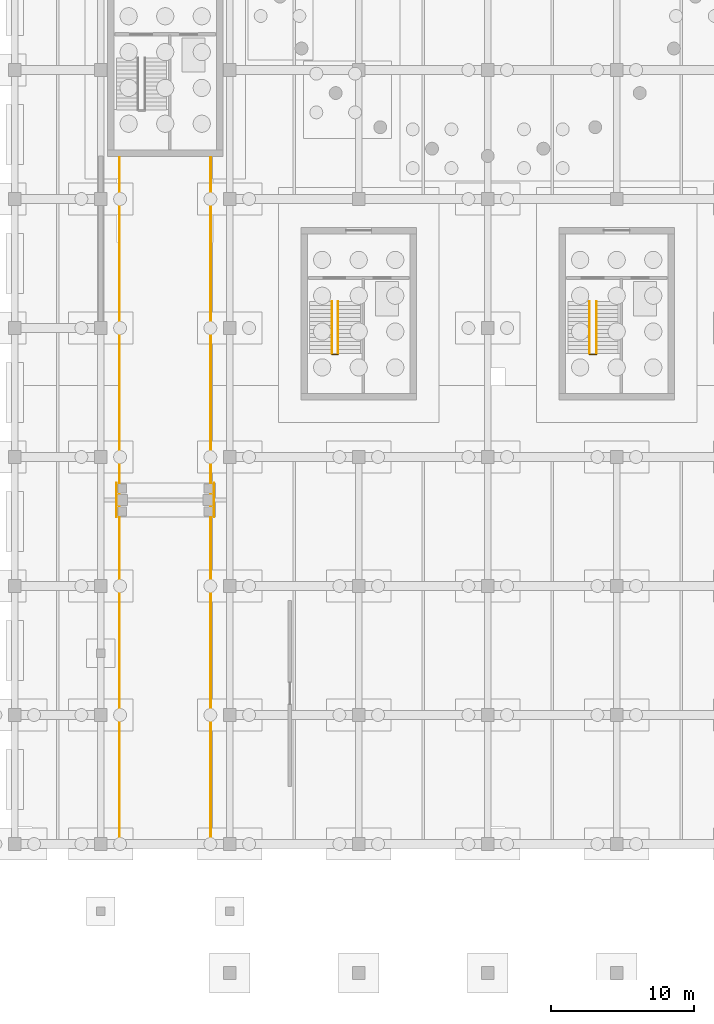
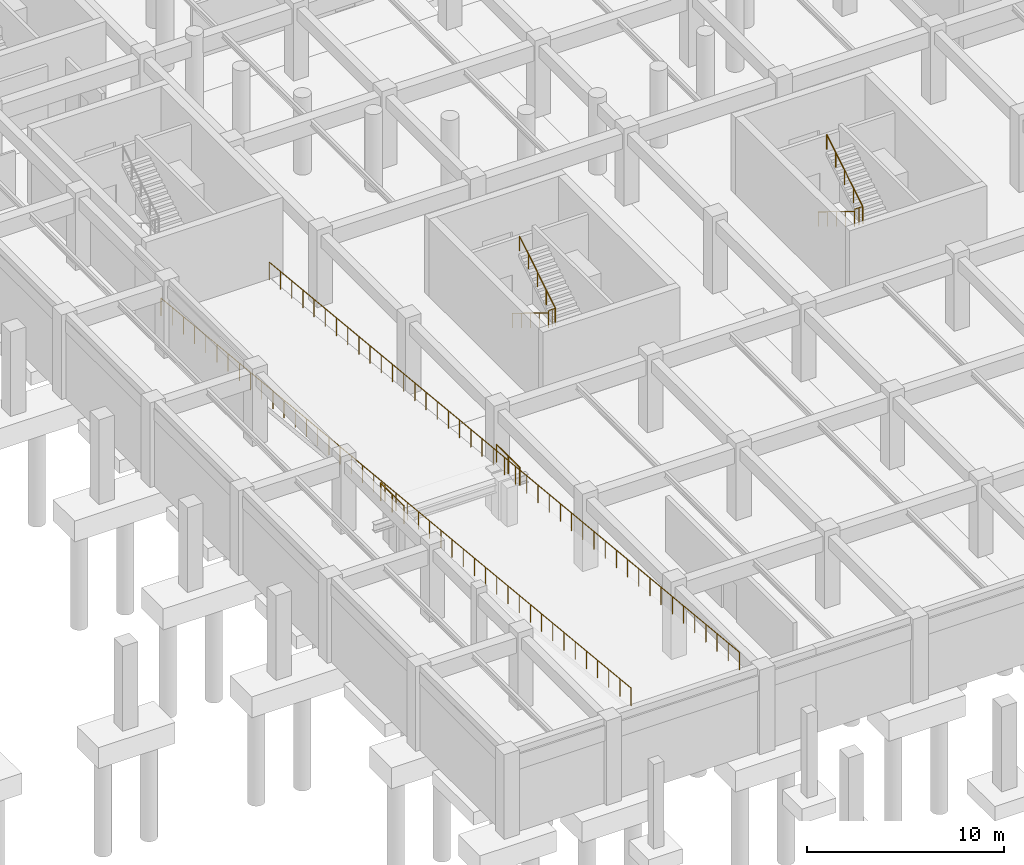
# One storey, part 23 of 27: 12 railings.
"""IFC4 building model written with IfcOpenShell, lengths in metres."""

from ifc_helpers import new_model, si_unit, direction, frame, origin, origin_2d, place, context, subcontext, project, spatial, circle, extrude, material, type_object, element, save


model = new_model("IFC4")

# Units and contexts
model_context = context("Model", 3, precision=1e-05, world=origin(), true_north=direction((0.0, 1.0)))
body_context = subcontext(model_context, "Body", "Model", "MODEL_VIEW")
ifc_project = project(units=[si_unit("LENGTHUNIT", "METRE"), si_unit("AREAUNIT", "SQUARE_METRE"), si_unit("VOLUMEUNIT", "CUBIC_METRE"), si_unit("PLANEANGLEUNIT", "RADIAN"), si_unit("MASSUNIT", "GRAM", prefix="KILO")], contexts=[model_context])

# Site, building, storey
site_placement = place(None, origin())
site = spatial("IfcSite", under=ifc_project, at=site_placement, CompositionType="ELEMENT")
building_placement = place(site_placement, origin())
building = spatial("IfcBuilding", under=site, at=building_placement, Name="Dornveld Trade and Exhibition Forum", CompositionType="ELEMENT")
storey_placement = place(building_placement, frame((0.0, 0.0, -4.800048828125)))
storey = spatial("IfcBuildingStorey", under=building, at=storey_placement, Name="B1", CompositionType="ELEMENT", Elevation=-4.800048828125)

# Railings
ifc_material_1 = material(Name="Galvanised steel S355J2 balustrade", Category="steel")
railing_type_1 = type_object("IfcRailingType", Name="RL-GUARD-TERR", PredefinedType="GUARDRAIL", material=ifc_material_1)
railing_1_placement = place(storey_placement, frame((91.320068359375, 65.89990234375, 0.010009765625)))
element("IfcRailing", 1, at=railing_1_placement, inside=storey, type_object=railing_type_1, Name="B1 car-park ramp W guard flight 1", PredefinedType="GUARDRAIL", context=body_context, shape_type="SweptSolid", body=[
    extrude(circle(Radius=0.02392578125, at=origin_2d()), frame((0.0, 0.0, 1.09619140625), z_axis=(0.0, -0.995036586364, 0.099509757294), x_axis=(1.0, 0.0, 0.0)), (0.0, 0.0, 1.0), 24.01904296875),
    extrude(circle(Radius=0.02099609375, at=origin_2d()), origin(), (0.0, 0.0, 1.0), 1.072021484375),
    extrude(circle(Radius=0.02099609375, at=origin_2d()), frame((0.0, -1.13818359375, 0.11376953125)), (0.0, 0.0, 1.0), 1.072021484375),
    extrude(circle(Radius=0.02099609375, at=origin_2d()), frame((0.0, -2.276123046875, 0.2275390625)), (0.0, 0.0, 1.0), 1.072021484375),
    extrude(circle(Radius=0.02099609375, at=origin_2d()), frame((0.0, -3.414306640625, 0.341552734375)), (0.0, 0.0, 1.0), 1.072021484375),
    extrude(circle(Radius=0.02099609375, at=origin_2d()), frame((0.0, -4.55224609375, 0.455322265625)), (0.0, 0.0, 1.0), 1.072021484375),
    extrude(circle(Radius=0.02099609375, at=origin_2d()), frame((0.0, -5.6904296875, 0.569091796875)), (0.0, 0.0, 1.0), 1.072021484375),
    extrude(circle(Radius=0.02099609375, at=origin_2d()), frame((0.0, -6.82861328125, 0.682861328125)), (0.0, 0.0, 1.0), 1.072021484375),
    extrude(circle(Radius=0.02099609375, at=origin_2d()), frame((0.0, -7.966552734375, 0.796630859375)), (0.0, 0.0, 1.0), 1.072021484375),
    extrude(circle(Radius=0.02099609375, at=origin_2d()), frame((0.0, -9.104736328125, 0.91064453125)), (0.0, 0.0, 1.0), 1.072021484375),
    extrude(circle(Radius=0.02099609375, at=origin_2d()), frame((0.0, -10.242919921875, 1.0244140625)), (0.0, 0.0, 1.0), 1.072021484375),
    extrude(circle(Radius=0.02099609375, at=origin_2d()), frame((0.0, -11.380859375, 1.13818359375)), (0.0, 0.0, 1.0), 1.072021484375),
    extrude(circle(Radius=0.02099609375, at=origin_2d()), frame((0.0, -12.51904296875, 1.251953125)), (0.0, 0.0, 1.0), 1.072021484375),
    extrude(circle(Radius=0.02099609375, at=origin_2d()), frame((0.0, -13.656982421875, 1.36572265625)), (0.0, 0.0, 1.0), 1.072021484375),
    extrude(circle(Radius=0.02099609375, at=origin_2d()), frame((0.0, -14.795166015625, 1.4794921875)), (0.0, 0.0, 1.0), 1.072021484375),
    extrude(circle(Radius=0.02099609375, at=origin_2d()), frame((0.0, -15.933349609375, 1.593505859375)), (0.0, 0.0, 1.0), 1.072021484375),
    extrude(circle(Radius=0.02099609375, at=origin_2d()), frame((0.0, -17.0712890625, 1.707275390625)), (0.0, 0.0, 1.0), 1.072021484375),
    extrude(circle(Radius=0.02099609375, at=origin_2d()), frame((0.0, -18.20947265625, 1.821044921875)), (0.0, 0.0, 1.0), 1.072021484375),
    extrude(circle(Radius=0.02099609375, at=origin_2d()), frame((0.0, -19.34765625, 1.934814453125)), (0.0, 0.0, 1.0), 1.072021484375),
    extrude(circle(Radius=0.02099609375, at=origin_2d()), frame((0.0, -20.485595703125, 2.048583984375)), (0.0, 0.0, 1.0), 1.072021484375),
    extrude(circle(Radius=0.02099609375, at=origin_2d()), frame((0.0, -21.623779296875, 2.16259765625)), (0.0, 0.0, 1.0), 1.072021484375),
    extrude(circle(Radius=0.02099609375, at=origin_2d()), frame((0.0, -22.76171875, 2.2763671875)), (0.0, 0.0, 1.0), 1.072021484375),
    extrude(circle(Radius=0.02099609375, at=origin_2d()), frame((0.0, -23.89990234375, 2.39013671875)), (0.0, 0.0, 1.0), 1.072021484375),
])
railing_2_placement = place(storey_placement, frame((91.320068359375, 42.0, 2.400146484375)))
element("IfcRailing", 2, at=railing_2_placement, inside=storey, type_object=railing_type_1, Name="B1 car-park ramp W guard flight 2", PredefinedType="GUARDRAIL", context=body_context, shape_type="SweptSolid", body=[
    extrude(circle(Radius=0.02392578125, at=origin_2d()), frame((0.0, 0.0, 1.09619140625), z_axis=(0.0, -0.995037592754, 0.0994996935), x_axis=(1.0, 0.0, 0.0)), (0.0, 0.0, 1.0), 24.01904296875),
    extrude(circle(Radius=0.02099609375, at=origin_2d()), origin(), (0.0, 0.0, 1.0), 1.072021484375),
    extrude(circle(Radius=0.02099609375, at=origin_2d()), frame((0.0, -1.13818359375, 0.11376953125)), (0.0, 0.0, 1.0), 1.072021484375),
    extrude(circle(Radius=0.02099609375, at=origin_2d()), frame((0.0, -2.276123046875, 0.2275390625)), (0.0, 0.0, 1.0), 1.072021484375),
    extrude(circle(Radius=0.02099609375, at=origin_2d()), frame((0.0, -3.414306640625, 0.34130859375)), (0.0, 0.0, 1.0), 1.072021484375),
    extrude(circle(Radius=0.02099609375, at=origin_2d()), frame((0.0, -4.55224609375, 0.455322265625)), (0.0, 0.0, 1.0), 1.072021484375),
    extrude(circle(Radius=0.02099609375, at=origin_2d()), frame((0.0, -5.6904296875, 0.569091796875)), (0.0, 0.0, 1.0), 1.072021484375),
    extrude(circle(Radius=0.02099609375, at=origin_2d()), frame((0.0, -6.82861328125, 0.682861328125)), (0.0, 0.0, 1.0), 1.072021484375),
    extrude(circle(Radius=0.02099609375, at=origin_2d()), frame((0.0, -7.966552734375, 0.796630859375)), (0.0, 0.0, 1.0), 1.072021484375),
    extrude(circle(Radius=0.02099609375, at=origin_2d()), frame((0.0, -9.104736328125, 0.910400390625)), (0.0, 0.0, 1.0), 1.072021484375),
    extrude(circle(Radius=0.02099609375, at=origin_2d()), frame((0.0, -10.242919921875, 1.024169921875)), (0.0, 0.0, 1.0), 1.072021484375),
    extrude(circle(Radius=0.02099609375, at=origin_2d()), frame((0.0, -11.380859375, 1.137939453125)), (0.0, 0.0, 1.0), 1.072021484375),
    extrude(circle(Radius=0.02099609375, at=origin_2d()), frame((0.0, -12.51904296875, 1.251953125)), (0.0, 0.0, 1.0), 1.072021484375),
    extrude(circle(Radius=0.02099609375, at=origin_2d()), frame((0.0, -13.656982421875, 1.36572265625)), (0.0, 0.0, 1.0), 1.072021484375),
    extrude(circle(Radius=0.02099609375, at=origin_2d()), frame((0.0, -14.795166015625, 1.4794921875)), (0.0, 0.0, 1.0), 1.072021484375),
    extrude(circle(Radius=0.02099609375, at=origin_2d()), frame((0.0, -15.933349609375, 1.59326171875)), (0.0, 0.0, 1.0), 1.072021484375),
    extrude(circle(Radius=0.02099609375, at=origin_2d()), frame((0.0, -17.0712890625, 1.70703125)), (0.0, 0.0, 1.0), 1.072021484375),
    extrude(circle(Radius=0.02099609375, at=origin_2d()), frame((0.0, -18.20947265625, 1.82080078125)), (0.0, 0.0, 1.0), 1.072021484375),
    extrude(circle(Radius=0.02099609375, at=origin_2d()), frame((0.0, -19.34765625, 1.9345703125)), (0.0, 0.0, 1.0), 1.072021484375),
    extrude(circle(Radius=0.02099609375, at=origin_2d()), frame((0.0, -20.485595703125, 2.048583984375)), (0.0, 0.0, 1.0), 1.072021484375),
    extrude(circle(Radius=0.02099609375, at=origin_2d()), frame((0.0, -21.623779296875, 2.162353515625)), (0.0, 0.0, 1.0), 1.072021484375),
    extrude(circle(Radius=0.02099609375, at=origin_2d()), frame((0.0, -22.76171875, 2.276123046875)), (0.0, 0.0, 1.0), 1.072021484375),
    extrude(circle(Radius=0.02099609375, at=origin_2d()), frame((0.0, -23.89990234375, 2.389892578125)), (0.0, 0.0, 1.0), 1.072021484375),
])
railing_3_placement = place(storey_placement, frame((91.10009765625, 40.820068359375, 2.400146484375)))
element("IfcRailing", 3, at=railing_3_placement, inside=storey, type_object=railing_type_1, Name="B1 ramp intermediate cap W guard", PredefinedType="GUARDRAIL", context=body_context, shape_type="SweptSolid", body=[
    extrude(circle(Radius=0.02392578125, at=origin_2d()), frame((0.0, 0.0, 1.09619140625), z_axis=(0.0, 1.0, 0.0), x_axis=(-1.0, 0.0, 0.0)), (0.0, 0.0, 1.0), 2.35986328125),
    extrude(circle(Radius=0.02099609375, at=origin_2d()), origin(), (0.0, 0.0, 1.0), 1.072021484375),
    extrude(circle(Radius=0.02099609375, at=origin_2d()), frame((0.0, 1.179931640625, 0.0)), (0.0, 0.0, 1.0), 1.072021484375),
    extrude(circle(Radius=0.02099609375, at=origin_2d()), frame((0.0, 2.35986328125, 0.0)), (0.0, 0.0, 1.0), 1.072021484375),
])
railing_4_placement = place(storey_placement, frame((97.679931640625, 65.89990234375, 0.010009765625)))
element("IfcRailing", 4, at=railing_4_placement, inside=storey, type_object=railing_type_1, Name="B1 car-park ramp E guard flight 1", PredefinedType="GUARDRAIL", context=body_context, shape_type="SweptSolid", body=[
    extrude(circle(Radius=0.02392578125, at=origin_2d()), frame((0.0, 0.0, 1.09619140625), z_axis=(0.0, -0.995036586364, 0.099509757294), x_axis=(1.0, 0.0, 0.0)), (0.0, 0.0, 1.0), 24.01904296875),
    extrude(circle(Radius=0.02099609375, at=origin_2d()), origin(), (0.0, 0.0, 1.0), 1.072021484375),
    extrude(circle(Radius=0.02099609375, at=origin_2d()), frame((0.0, -1.13818359375, 0.11376953125)), (0.0, 0.0, 1.0), 1.072021484375),
    extrude(circle(Radius=0.02099609375, at=origin_2d()), frame((0.0, -2.276123046875, 0.2275390625)), (0.0, 0.0, 1.0), 1.072021484375),
    extrude(circle(Radius=0.02099609375, at=origin_2d()), frame((0.0, -3.414306640625, 0.341552734375)), (0.0, 0.0, 1.0), 1.072021484375),
    extrude(circle(Radius=0.02099609375, at=origin_2d()), frame((0.0, -4.55224609375, 0.455322265625)), (0.0, 0.0, 1.0), 1.072021484375),
    extrude(circle(Radius=0.02099609375, at=origin_2d()), frame((0.0, -5.6904296875, 0.569091796875)), (0.0, 0.0, 1.0), 1.072021484375),
    extrude(circle(Radius=0.02099609375, at=origin_2d()), frame((0.0, -6.82861328125, 0.682861328125)), (0.0, 0.0, 1.0), 1.072021484375),
    extrude(circle(Radius=0.02099609375, at=origin_2d()), frame((0.0, -7.966552734375, 0.796630859375)), (0.0, 0.0, 1.0), 1.072021484375),
    extrude(circle(Radius=0.02099609375, at=origin_2d()), frame((0.0, -9.104736328125, 0.91064453125)), (0.0, 0.0, 1.0), 1.072021484375),
    extrude(circle(Radius=0.02099609375, at=origin_2d()), frame((0.0, -10.242919921875, 1.0244140625)), (0.0, 0.0, 1.0), 1.072021484375),
    extrude(circle(Radius=0.02099609375, at=origin_2d()), frame((0.0, -11.380859375, 1.13818359375)), (0.0, 0.0, 1.0), 1.072021484375),
    extrude(circle(Radius=0.02099609375, at=origin_2d()), frame((0.0, -12.51904296875, 1.251953125)), (0.0, 0.0, 1.0), 1.072021484375),
    extrude(circle(Radius=0.02099609375, at=origin_2d()), frame((0.0, -13.656982421875, 1.36572265625)), (0.0, 0.0, 1.0), 1.072021484375),
    extrude(circle(Radius=0.02099609375, at=origin_2d()), frame((0.0, -14.795166015625, 1.4794921875)), (0.0, 0.0, 1.0), 1.072021484375),
    extrude(circle(Radius=0.02099609375, at=origin_2d()), frame((0.0, -15.933349609375, 1.593505859375)), (0.0, 0.0, 1.0), 1.072021484375),
    extrude(circle(Radius=0.02099609375, at=origin_2d()), frame((0.0, -17.0712890625, 1.707275390625)), (0.0, 0.0, 1.0), 1.072021484375),
    extrude(circle(Radius=0.02099609375, at=origin_2d()), frame((0.0, -18.20947265625, 1.821044921875)), (0.0, 0.0, 1.0), 1.072021484375),
    extrude(circle(Radius=0.02099609375, at=origin_2d()), frame((0.0, -19.34765625, 1.934814453125)), (0.0, 0.0, 1.0), 1.072021484375),
    extrude(circle(Radius=0.02099609375, at=origin_2d()), frame((0.0, -20.485595703125, 2.048583984375)), (0.0, 0.0, 1.0), 1.072021484375),
    extrude(circle(Radius=0.02099609375, at=origin_2d()), frame((0.0, -21.623779296875, 2.16259765625)), (0.0, 0.0, 1.0), 1.072021484375),
    extrude(circle(Radius=0.02099609375, at=origin_2d()), frame((0.0, -22.76171875, 2.2763671875)), (0.0, 0.0, 1.0), 1.072021484375),
    extrude(circle(Radius=0.02099609375, at=origin_2d()), frame((0.0, -23.89990234375, 2.39013671875)), (0.0, 0.0, 1.0), 1.072021484375),
])
railing_5_placement = place(storey_placement, frame((97.679931640625, 42.0, 2.400146484375)))
element("IfcRailing", 5, at=railing_5_placement, inside=storey, type_object=railing_type_1, Name="B1 car-park ramp E guard flight 2", PredefinedType="GUARDRAIL", context=body_context, shape_type="SweptSolid", body=[
    extrude(circle(Radius=0.02392578125, at=origin_2d()), frame((0.0, 0.0, 1.09619140625), z_axis=(0.0, -0.995037592754, 0.0994996935), x_axis=(1.0, 0.0, 0.0)), (0.0, 0.0, 1.0), 24.01904296875),
    extrude(circle(Radius=0.02099609375, at=origin_2d()), origin(), (0.0, 0.0, 1.0), 1.072021484375),
    extrude(circle(Radius=0.02099609375, at=origin_2d()), frame((0.0, -1.13818359375, 0.11376953125)), (0.0, 0.0, 1.0), 1.072021484375),
    extrude(circle(Radius=0.02099609375, at=origin_2d()), frame((0.0, -2.276123046875, 0.2275390625)), (0.0, 0.0, 1.0), 1.072021484375),
    extrude(circle(Radius=0.02099609375, at=origin_2d()), frame((0.0, -3.414306640625, 0.34130859375)), (0.0, 0.0, 1.0), 1.072021484375),
    extrude(circle(Radius=0.02099609375, at=origin_2d()), frame((0.0, -4.55224609375, 0.455322265625)), (0.0, 0.0, 1.0), 1.072021484375),
    extrude(circle(Radius=0.02099609375, at=origin_2d()), frame((0.0, -5.6904296875, 0.569091796875)), (0.0, 0.0, 1.0), 1.072021484375),
    extrude(circle(Radius=0.02099609375, at=origin_2d()), frame((0.0, -6.82861328125, 0.682861328125)), (0.0, 0.0, 1.0), 1.072021484375),
    extrude(circle(Radius=0.02099609375, at=origin_2d()), frame((0.0, -7.966552734375, 0.796630859375)), (0.0, 0.0, 1.0), 1.072021484375),
    extrude(circle(Radius=0.02099609375, at=origin_2d()), frame((0.0, -9.104736328125, 0.910400390625)), (0.0, 0.0, 1.0), 1.072021484375),
    extrude(circle(Radius=0.02099609375, at=origin_2d()), frame((0.0, -10.242919921875, 1.024169921875)), (0.0, 0.0, 1.0), 1.072021484375),
    extrude(circle(Radius=0.02099609375, at=origin_2d()), frame((0.0, -11.380859375, 1.137939453125)), (0.0, 0.0, 1.0), 1.072021484375),
    extrude(circle(Radius=0.02099609375, at=origin_2d()), frame((0.0, -12.51904296875, 1.251953125)), (0.0, 0.0, 1.0), 1.072021484375),
    extrude(circle(Radius=0.02099609375, at=origin_2d()), frame((0.0, -13.656982421875, 1.36572265625)), (0.0, 0.0, 1.0), 1.072021484375),
    extrude(circle(Radius=0.02099609375, at=origin_2d()), frame((0.0, -14.795166015625, 1.4794921875)), (0.0, 0.0, 1.0), 1.072021484375),
    extrude(circle(Radius=0.02099609375, at=origin_2d()), frame((0.0, -15.933349609375, 1.59326171875)), (0.0, 0.0, 1.0), 1.072021484375),
    extrude(circle(Radius=0.02099609375, at=origin_2d()), frame((0.0, -17.0712890625, 1.70703125)), (0.0, 0.0, 1.0), 1.072021484375),
    extrude(circle(Radius=0.02099609375, at=origin_2d()), frame((0.0, -18.20947265625, 1.82080078125)), (0.0, 0.0, 1.0), 1.072021484375),
    extrude(circle(Radius=0.02099609375, at=origin_2d()), frame((0.0, -19.34765625, 1.9345703125)), (0.0, 0.0, 1.0), 1.072021484375),
    extrude(circle(Radius=0.02099609375, at=origin_2d()), frame((0.0, -20.485595703125, 2.048583984375)), (0.0, 0.0, 1.0), 1.072021484375),
    extrude(circle(Radius=0.02099609375, at=origin_2d()), frame((0.0, -21.623779296875, 2.162353515625)), (0.0, 0.0, 1.0), 1.072021484375),
    extrude(circle(Radius=0.02099609375, at=origin_2d()), frame((0.0, -22.76171875, 2.276123046875)), (0.0, 0.0, 1.0), 1.072021484375),
    extrude(circle(Radius=0.02099609375, at=origin_2d()), frame((0.0, -23.89990234375, 2.389892578125)), (0.0, 0.0, 1.0), 1.072021484375),
])
railing_6_placement = place(storey_placement, frame((97.89990234375, 40.820068359375, 2.400146484375)))
element("IfcRailing", 6, at=railing_6_placement, inside=storey, type_object=railing_type_1, Name="B1 ramp intermediate cap E guard", PredefinedType="GUARDRAIL", context=body_context, shape_type="SweptSolid", body=[
    extrude(circle(Radius=0.02392578125, at=origin_2d()), frame((0.0, 0.0, 1.09619140625), z_axis=(0.0, 1.0, 0.0), x_axis=(-1.0, 0.0, 0.0)), (0.0, 0.0, 1.0), 2.35986328125),
    extrude(circle(Radius=0.02099609375, at=origin_2d()), origin(), (0.0, 0.0, 1.0), 1.072021484375),
    extrude(circle(Radius=0.02099609375, at=origin_2d()), frame((0.0, 1.179931640625, 0.0)), (0.0, 0.0, 1.0), 1.072021484375),
    extrude(circle(Radius=0.02099609375, at=origin_2d()), frame((0.0, 2.35986328125, 0.0)), (0.0, 0.0, 1.0), 1.072021484375),
])
ifc_material_2 = material(Name="Brushed stainless steel handrail", Category="steel")
railing_type_2 = type_object("IfcRailingType", Name="RL-HAND-920", PredefinedType="HANDRAIL", material=ifc_material_2)
railing_7_placement = place(storey_placement, frame((106.139892578125, 55.85009765625, 0.17138671875)))
element("IfcRailing", 7, at=railing_7_placement, inside=storey, type_object=railing_type_2, Name="ST-06-B1 flight 1 handrail", PredefinedType="HANDRAIL", context=body_context, shape_type="SweptSolid", body=[
    extrude(circle(Radius=0.02099609375, at=origin_2d()), frame((0.0, 0.0, 0.89892578125), z_axis=(0.0, -0.852840387347, 0.522171689878), x_axis=(1.0, 0.0, 0.0)), (0.0, 0.0, 1.0), 4.268310546875),
    extrude(circle(Radius=0.01806640625, at=origin_2d()), origin(), (0.0, 0.0, 1.0), 0.8779296875),
    extrude(circle(Radius=0.01806640625, at=origin_2d()), frame((0.0, -0.91015625, 0.55712890625)), (0.0, 0.0, 1.0), 0.8779296875),
    extrude(circle(Radius=0.01806640625, at=origin_2d()), frame((0.0, -1.820068359375, 1.1142578125)), (0.0, 0.0, 1.0), 0.8779296875),
    extrude(circle(Radius=0.01806640625, at=origin_2d()), frame((0.0, -2.72998046875, 1.671630859375)), (0.0, 0.0, 1.0), 0.8779296875),
    extrude(circle(Radius=0.01806640625, at=origin_2d()), frame((0.0, -3.64013671875, 2.228759765625)), (0.0, 0.0, 1.0), 0.8779296875),
])
railing_8_placement = place(storey_placement, frame((106.56005859375, 52.2099609375, 2.571533203125)))
element("IfcRailing", 8, at=railing_8_placement, inside=storey, type_object=railing_type_2, Name="ST-06-B1 flight 2 handrail", PredefinedType="HANDRAIL", context=body_context, shape_type="SweptSolid", body=[
    extrude(circle(Radius=0.02099609375, at=origin_2d()), frame((0.0, 0.0, 0.89892578125), z_axis=(0.0, 0.852865859571, 0.52213008492), x_axis=(-1.0, 0.0, 0.0)), (0.0, 0.0, 1.0), 4.26806640625),
    extrude(circle(Radius=0.01806640625, at=origin_2d()), origin(), (0.0, 0.0, 1.0), 0.8779296875),
    extrude(circle(Radius=0.01806640625, at=origin_2d()), frame((0.0, 0.91015625, 0.55712890625)), (0.0, 0.0, 1.0), 0.8779296875),
    extrude(circle(Radius=0.01806640625, at=origin_2d()), frame((0.0, 1.820068359375, 1.1142578125)), (0.0, 0.0, 1.0), 0.8779296875),
    extrude(circle(Radius=0.01806640625, at=origin_2d()), frame((0.0, 2.72998046875, 1.67138671875)), (0.0, 0.0, 1.0), 0.8779296875),
    extrude(circle(Radius=0.01806640625, at=origin_2d()), frame((0.0, 3.64013671875, 2.228515625)), (0.0, 0.0, 1.0), 0.8779296875),
])
railing_9_placement = place(storey_placement, frame((124.10498046875, 55.85009765625, 0.17138671875)))
element("IfcRailing", 9, at=railing_9_placement, inside=storey, type_object=railing_type_2, Name="ST-07-B1 flight 1 handrail", PredefinedType="HANDRAIL", context=body_context, shape_type="SweptSolid", body=[
    extrude(circle(Radius=0.02099609375, at=origin_2d()), frame((0.0, 0.0, 0.89892578125), z_axis=(0.0, -0.852840387347, 0.522171689878), x_axis=(1.0, 0.0, 0.0)), (0.0, 0.0, 1.0), 4.268310546875),
    extrude(circle(Radius=0.01806640625, at=origin_2d()), origin(), (0.0, 0.0, 1.0), 0.8779296875),
    extrude(circle(Radius=0.01806640625, at=origin_2d()), frame((0.0, -0.91015625, 0.55712890625)), (0.0, 0.0, 1.0), 0.8779296875),
    extrude(circle(Radius=0.01806640625, at=origin_2d()), frame((0.0, -1.820068359375, 1.1142578125)), (0.0, 0.0, 1.0), 0.8779296875),
    extrude(circle(Radius=0.01806640625, at=origin_2d()), frame((0.0, -2.72998046875, 1.671630859375)), (0.0, 0.0, 1.0), 0.8779296875),
    extrude(circle(Radius=0.01806640625, at=origin_2d()), frame((0.0, -3.64013671875, 2.228759765625)), (0.0, 0.0, 1.0), 0.8779296875),
])
railing_10_placement = place(storey_placement, frame((124.594970703125, 52.2099609375, 2.571533203125)))
element("IfcRailing", 10, at=railing_10_placement, inside=storey, type_object=railing_type_2, Name="ST-07-B1 flight 2 handrail", PredefinedType="HANDRAIL", context=body_context, shape_type="SweptSolid", body=[
    extrude(circle(Radius=0.02099609375, at=origin_2d()), frame((0.0, 0.0, 0.89892578125), z_axis=(0.0, 0.852865859571, 0.52213008492), x_axis=(-1.0, 0.0, 0.0)), (0.0, 0.0, 1.0), 4.26806640625),
    extrude(circle(Radius=0.01806640625, at=origin_2d()), origin(), (0.0, 0.0, 1.0), 0.8779296875),
    extrude(circle(Radius=0.01806640625, at=origin_2d()), frame((0.0, 0.91015625, 0.55712890625)), (0.0, 0.0, 1.0), 0.8779296875),
    extrude(circle(Radius=0.01806640625, at=origin_2d()), frame((0.0, 1.820068359375, 1.1142578125)), (0.0, 0.0, 1.0), 0.8779296875),
    extrude(circle(Radius=0.01806640625, at=origin_2d()), frame((0.0, 2.72998046875, 1.67138671875)), (0.0, 0.0, 1.0), 0.8779296875),
    extrude(circle(Radius=0.01806640625, at=origin_2d()), frame((0.0, 3.64013671875, 2.228515625)), (0.0, 0.0, 1.0), 0.8779296875),
])
ifc_material_3 = material(Name="Painted steel S355J2 stair-well guard", Category="steel")
railing_type_3 = type_object("IfcRailingType", Name="RL-WELL-110", PredefinedType="GUARDRAIL", material=ifc_material_3)
railing_11_placement = place(storey_placement, frame((106.139892578125, 52.159912109375, 2.400146484375)))
element("IfcRailing", 11, at=railing_11_placement, inside=storey, type_object=railing_type_3, Name="ST-06-B1 half-landing well guard", PredefinedType="GUARDRAIL", context=body_context, shape_type="SweptSolid", body=[
    extrude(circle(Radius=0.02392578125, at=origin_2d()), frame((0.0, 0.0, 1.076171875), z_axis=(1.0, 0.0, 0.0), x_axis=(0.0, 1.0, 0.0)), (0.0, 0.0, 1.0), 0.420166015625),
    extrude(circle(Radius=0.02001953125, at=origin_2d()), origin(), (0.0, 0.0, 1.0), 1.052001953125),
    extrude(circle(Radius=0.02001953125, at=origin_2d()), frame((0.2099609375, 0.0, 0.0)), (0.0, 0.0, 1.0), 1.052001953125),
    extrude(circle(Radius=0.02001953125, at=origin_2d()), frame((0.420166015625, 0.0, 0.0)), (0.0, 0.0, 1.0), 1.052001953125),
])
railing_12_placement = place(storey_placement, frame((124.10498046875, 52.159912109375, 2.400146484375)))
element("IfcRailing", 12, at=railing_12_placement, inside=storey, type_object=railing_type_3, Name="ST-07-B1 half-landing well guard", PredefinedType="GUARDRAIL", context=body_context, shape_type="SweptSolid", body=[
    extrude(circle(Radius=0.02392578125, at=origin_2d()), frame((0.0, 0.0, 1.076171875), z_axis=(1.0, 0.0, 0.0), x_axis=(0.0, 1.0, 0.0)), (0.0, 0.0, 1.0), 0.489990234375),
    extrude(circle(Radius=0.02001953125, at=origin_2d()), origin(), (0.0, 0.0, 1.0), 1.052001953125),
    extrude(circle(Radius=0.02001953125, at=origin_2d()), frame((0.2451171875, 0.0, 0.0)), (0.0, 0.0, 1.0), 1.052001953125),
    extrude(circle(Radius=0.02001953125, at=origin_2d()), frame((0.489990234375, 0.0, 0.0)), (0.0, 0.0, 1.0), 1.052001953125),
])

save(model, "model.ifc")
